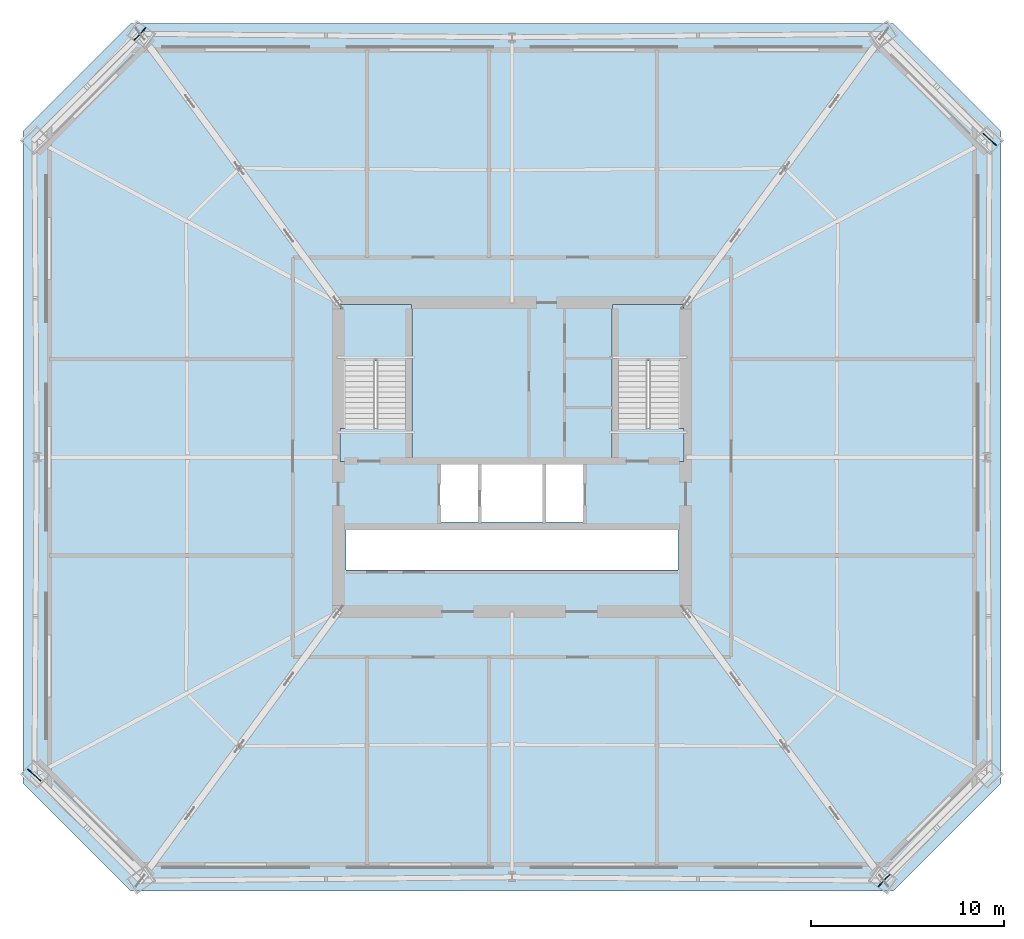
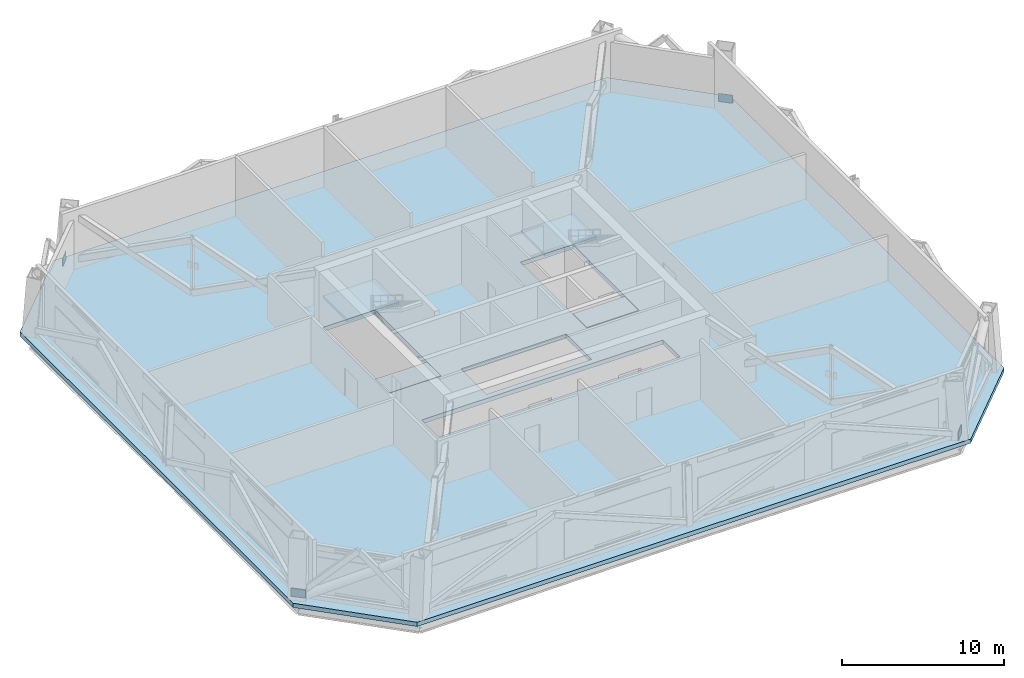
# One storey, part 9 of 14: 5 slabs, 4 plates, 2 elements without a shape of their own.
"""IFC4 building model written with IfcOpenShell, lengths in metres."""

from ifc_helpers import new_model, si_unit, direction, frame, origin, origin_2d, place, context, subcontext, project, spatial, polyline, rectangle, outline, extrude, material, layer, layer_set, type_object, element, aggregate, save


model = new_model("IFC4")

# Units and contexts
model_context = context("Model", 3, precision=1e-05, world=origin(), true_north=direction((0.0, 1.0)))
body_context = subcontext(model_context, "Body", "Model", "MODEL_VIEW")
ifc_project = project(units=[si_unit("LENGTHUNIT", "METRE"), si_unit("AREAUNIT", "SQUARE_METRE"), si_unit("VOLUMEUNIT", "CUBIC_METRE"), si_unit("PLANEANGLEUNIT", "RADIAN"), si_unit("MASSUNIT", "GRAM", prefix="KILO")], contexts=[model_context])

# Site, building, storey
site_placement = place(None, origin())
site = spatial("IfcSite", under=ifc_project, at=site_placement, CompositionType="ELEMENT")
building_placement = place(site_placement, origin())
building = spatial("IfcBuilding", under=site, at=building_placement, Name="Caelvoria Tower", CompositionType="ELEMENT")
storey_placement = place(building_placement, frame((0.0, 0.0, 85.60009765625)))
storey = spatial("IfcBuildingStorey", under=building, at=storey_placement, Name="L22", CompositionType="ELEMENT", Elevation=85.60009765625)

# Plates
ifc_material_1 = material(Name="Structural Steel ASTM A572 Gr.50", Category="steel")
ifc_layer_1 = layer(ifc_material_1, 0.0400390625, Name="Structural Steel ASTM A572 Gr.50")
ifc_layer_set_1 = layer_set([ifc_layer_1], Name="Megaframe Node Gusset Plate 900x600x40 - Structural Steel ASTM A572 Gr.50")
plate_type = type_object("IfcPlateType", Name="Megaframe Node Gusset Plate 900x600x40", PredefinedType="USERDEFINED", material=ifc_layer_set_1)
for number, where, z_axis, x_axis, name in (
    (1, (65.25830078125, 10.07421875, 0.019775390625), (0.0, 0.0, 1.0), (0.678696926351, 0.734418465292, 0.0), "Chamfer Mega Brace Gusset L22 SE"),
    (2, (70.73388671875, 48.4677734375, 0.019775390625), (0.0, 0.0, 1.0), (-0.736462023826, 0.676478889147, 0.0), "Chamfer Mega Brace Gusset L22 NE"),
    (3, (26.74169921875, 53.92578125, 0.019775390625), (0.0, 0.0, 1.0), (-0.678696926351, -0.734418465292, 0.0), "Chamfer Mega Brace Gusset L22 NW"),
    (4, (21.26611328125, 15.5322265625, 0.019775390625), (0.0, 0.0, 1.0), (0.736462023826, -0.676478889147, 0.0), "Chamfer Mega Brace Gusset L22 SW"),
):
    element("IfcPlate", number, at=place(storey_placement, frame(where, z_axis=z_axis, x_axis=x_axis)), inside=storey, type_object=plate_type, Name=name, ObjectType="GUSSET_PLATE", PredefinedType="USERDEFINED", context=body_context, shape_type="SweptSolid", body=[
        extrude(rectangle(XDim=0.89990234375, YDim=0.0400390625, at=origin_2d()), origin(), (0.0, 0.0, 1.0), 0.60009765625),
    ])

# Slab
ifc_material_2 = material(Name="Concrete C50/60", Category="concrete")
ifc_layer_2 = layer(ifc_material_2, 0.320068359375, Name="Concrete C50/60")
ifc_layer_set_2 = layer_set([ifc_layer_2], Name="Plant and Sky Lobby Heavy Slab 320 - Concrete C50/60")
slab_type_1 = type_object("IfcSlabType", Name="Plant and Sky Lobby Heavy Slab 320", PredefinedType="FLOOR", material=ifc_layer_set_2)
slab_1_placement = place(storey_placement, frame((0.0, 0.0, -0.320068359375)))
element("IfcSlab", 5, at=slab_1_placement, inside=storey, type_object=slab_type_1, Name="Level L22 Structural Floor Slab", PredefinedType="FLOOR", context=body_context, shape_type="SweptSolid", body=[
    extrude(outline(polyline([(26.2666015625, 9.533203125), (65.7333984375, 9.533203125), (71.333251953125, 15.13330078125), (71.333251953125, 48.86669921875), (65.7333984375, 54.466796875), (26.2666015625, 54.466796875), (20.666748046875, 48.86669921875), (20.666748046875, 15.13330078125), (26.2666015625, 9.533203125)]), holes=[polyline([(37.080078125, 31.75), (40.820068359375, 31.75), (40.820068359375, 39.919921875), (37.080078125, 39.919921875), (37.080078125, 31.75)]), polyline([(51.179931640625, 31.75), (54.919921875, 31.75), (54.919921875, 39.919921875), (51.179931640625, 39.919921875), (51.179931640625, 31.75)]), polyline([(42.25, 28.64990234375), (49.75, 28.64990234375), (49.75, 31.800048828125), (42.25, 31.800048828125), (42.25, 28.64990234375)]), polyline([(37.39990234375, 26.14990234375), (54.60009765625, 26.14990234375), (54.60009765625, 28.25), (37.39990234375, 28.25), (37.39990234375, 26.14990234375)])]), origin(), (0.0, 0.0, 1.0), 0.320068359375),
])

# Stair, slabs
ifc_material_3 = material(Name="Concrete C40/50", Category="concrete")
stair_type = type_object("IfcStairType", Name="Core Smokeproof Dogleg Stair Concrete C40/50", PredefinedType="HALF_TURN_STAIR", material=ifc_material_3)
stair_1_placement = place(storey_placement, origin())
stair_1 = element("IfcStair", 6, at=stair_1_placement, inside=storey, type_object=stair_type, Name="ST-01 Smokeproof Exit Stair L22", PredefinedType="HALF_TURN_STAIR")
ifc_layer_3 = layer(ifc_material_3, 0.199951171875, Name="Concrete C40/50")
ifc_layer_set_3 = layer_set([ifc_layer_3], Name="Stair Half and Floor Landing Slab 200 Concrete C40/50 - Concrete C40/50")
slab_type_2 = type_object("IfcSlabType", Name="Stair Half and Floor Landing Slab 200 Concrete C40/50", PredefinedType="LANDING", material=ifc_layer_set_3)
slab_2_placement = place(storey_placement, frame((0.0, 0.0, -0.2001953125)))
slab_2 = element("IfcSlab", 7, at=slab_2_placement, type_object=slab_type_2, Name="ST-01 landing 1", PredefinedType="LANDING", context=body_context, shape_type="SweptSolid", body=[
    extrude(outline(polyline([(37.10009765625, 31.77001953125), (40.800048828125, 31.77001953125), (40.800048828125, 33.5), (37.10009765625, 33.5), (37.10009765625, 31.77001953125)])), origin(), (0.0, 0.0, 1.0), 0.2001953125),
])
slab_3_placement = place(storey_placement, frame((0.0, 0.0, 2.199951171875)))
slab_3 = element("IfcSlab", 8, at=slab_3_placement, type_object=slab_type_2, Name="ST-01 landing 2", PredefinedType="LANDING", context=body_context, shape_type="SweptSolid", body=[
    extrude(outline(polyline([(37.10009765625, 36.97509765625), (40.800048828125, 36.97509765625), (40.800048828125, 39.89990234375), (37.10009765625, 39.89990234375), (37.10009765625, 36.97509765625)])), origin(), (0.0, 0.0, 1.0), 0.199951171875),
])
aggregate(stair_1, [slab_2, slab_3])

stair_2_placement = place(storey_placement, origin())
stair_2 = element("IfcStair", 9, at=stair_2_placement, inside=storey, type_object=stair_type, Name="ST-02 Smokeproof Exit Stair L22", PredefinedType="HALF_TURN_STAIR")
slab_4_placement = place(storey_placement, frame((0.0, 0.0, -0.2001953125)))
slab_4 = element("IfcSlab", 10, at=slab_4_placement, type_object=slab_type_2, Name="ST-02 landing 1", PredefinedType="LANDING", context=body_context, shape_type="SweptSolid", body=[
    extrude(outline(polyline([(51.199951171875, 31.77001953125), (54.89990234375, 31.77001953125), (54.89990234375, 33.5), (51.199951171875, 33.5), (51.199951171875, 31.77001953125)])), origin(), (0.0, 0.0, 1.0), 0.2001953125),
])
slab_5_placement = place(storey_placement, frame((0.0, 0.0, 2.199951171875)))
slab_5 = element("IfcSlab", 11, at=slab_5_placement, type_object=slab_type_2, Name="ST-02 landing 2", PredefinedType="LANDING", context=body_context, shape_type="SweptSolid", body=[
    extrude(outline(polyline([(51.199951171875, 36.97509765625), (54.89990234375, 36.97509765625), (54.89990234375, 39.89990234375), (51.199951171875, 39.89990234375), (51.199951171875, 36.97509765625)])), origin(), (0.0, 0.0, 1.0), 0.199951171875),
])
aggregate(stair_2, [slab_4, slab_5])

save(model, "model.ifc")
